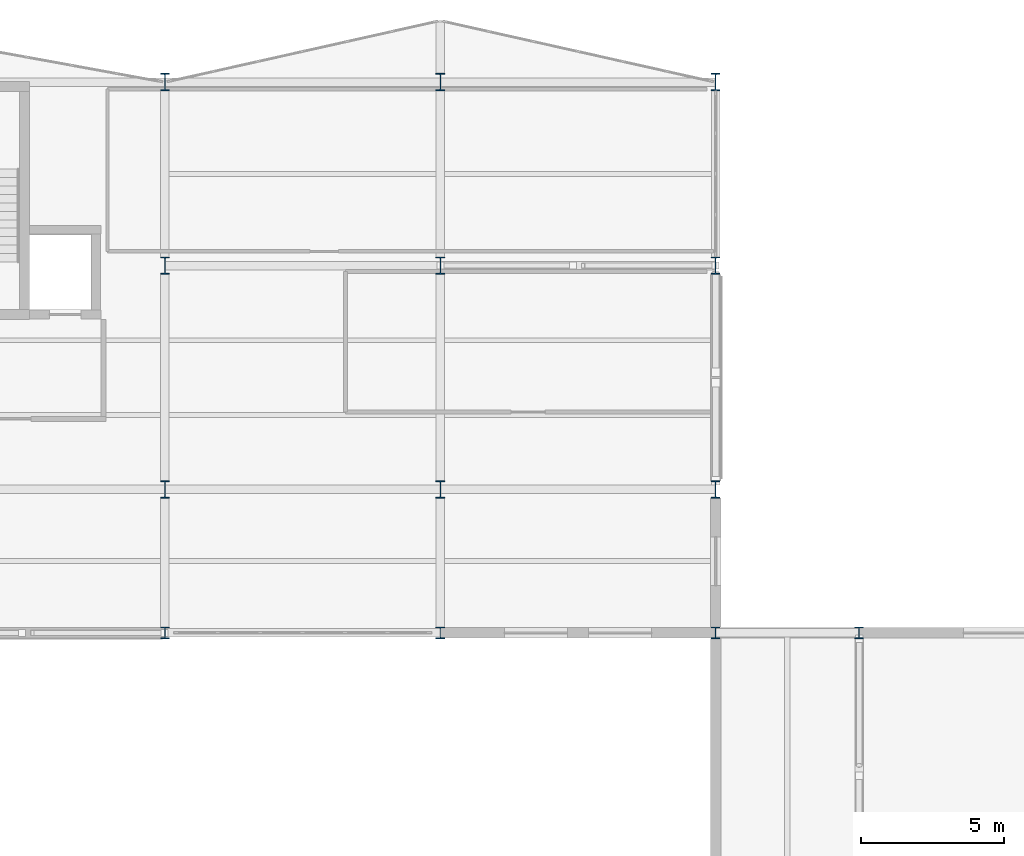
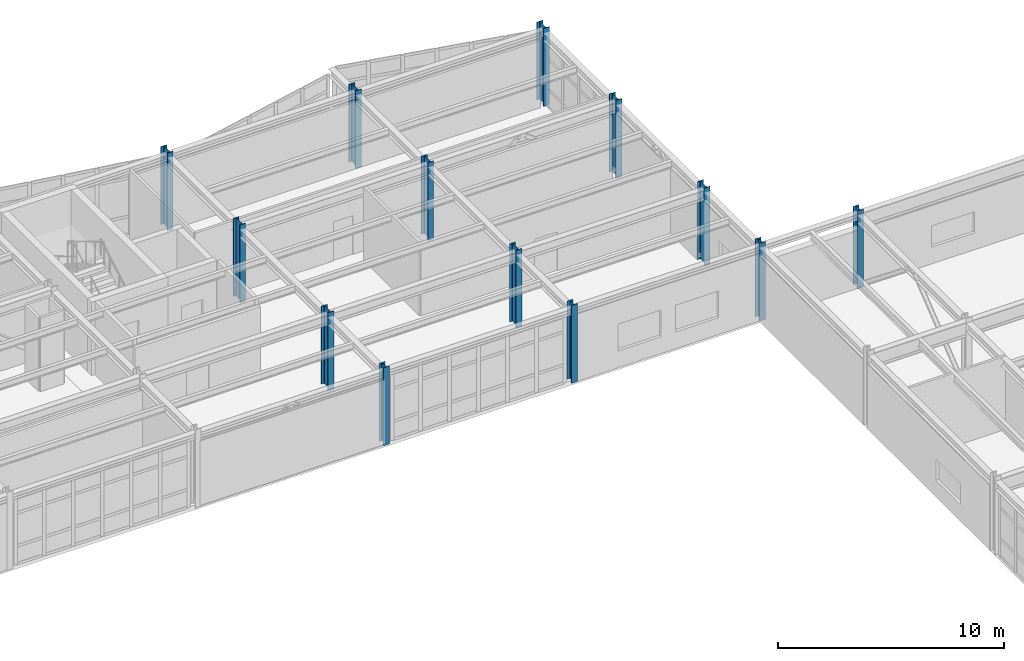
# One storey, part 15 of 99: 13 columns.
"""IFC4 building model written with IfcOpenShell, lengths in metres."""

from ifc_helpers import new_model, si_unit, direction, frame, origin, origin_2d, place, context, subcontext, project, spatial, i_section, extrude, material, material_profile, profile_set, type_object, element, save


model = new_model("IFC4")

# Units and contexts
model_context = context("Model", 3, precision=1e-05, world=origin(), true_north=direction((0.0, 1.0)))
body_context = subcontext(model_context, "Body", "Model", "MODEL_VIEW")
ifc_project = project(units=[si_unit("LENGTHUNIT", "METRE"), si_unit("AREAUNIT", "SQUARE_METRE"), si_unit("VOLUMEUNIT", "CUBIC_METRE"), si_unit("PLANEANGLEUNIT", "RADIAN"), si_unit("MASSUNIT", "GRAM", prefix="KILO")], contexts=[model_context])

# Site, building, storey
site_placement = place(None, origin())
site = spatial("IfcSite", under=ifc_project, at=site_placement, CompositionType="ELEMENT")
building_placement = place(site_placement, origin())
building = spatial("IfcBuilding", under=site, at=building_placement, Name="Nordkorset Police Headquarters", CompositionType="ELEMENT")
storey_placement = place(building_placement, frame((0.0, 0.0, 5.25)))
storey = spatial("IfcBuildingStorey", under=building, at=storey_placement, Name="L01", CompositionType="ELEMENT", Elevation=5.25)

# Columns
ifc_material_1 = material(Name="Steel S355J2", Category="steel")
ifc_material_profile_1 = material_profile(ifc_material_1, i_section(OverallWidth=0.300048828125, OverallDepth=0.39990234375, WebThickness=0.013427734375, FlangeThickness=0.02392578125, FilletRadius=0.027099609375, at=origin_2d()), Name="HEB 400")
ifc_profile_set_1 = profile_set([ifc_material_profile_1], Name="Steel S355J2")
column_type_1 = type_object("IfcColumnType", Name="Col_HEB_400", PredefinedType="COLUMN", material=ifc_profile_set_1)
for number, where, z_axis, x_axis, name in (
    (1, (67.199951171875, 97.60009765625, 0.0), (0.0, 0.0, 1.0), (1.0, 0.0, 0.0), "Structural Column V2_Y0_3 L01"),
    (2, (76.800048828125, 97.60009765625, 0.0), (0.0, 0.0, 1.0), (1.0, 0.0, 0.0), "Structural Column V2_Y0_4 L01"),
    (3, (86.39990234375, 97.60009765625, 0.0), (0.0, 0.0, 1.0), (1.0, 0.0, 0.0), "Structural Column V2_Y0_5 L01"),
    (4, (91.39990234375, 97.60009765625, 0.0), (0.0, 0.0, 1.0), (1.0, 0.0, 0.0), "Structural Column V5_X1_5 L01"),
):
    element("IfcColumn", number, at=place(storey_placement, frame(where, z_axis=z_axis, x_axis=x_axis)), inside=storey, type_object=column_type_1, Name=name, PredefinedType="COLUMN", context=body_context, shape_type="SweptSolid", body=[
        extrude(i_section(OverallWidth=0.300048828125, OverallDepth=0.39990234375, WebThickness=0.013427734375, FlangeThickness=0.02392578125, FilletRadius=0.027099609375, at=origin_2d()), origin(), (0.0, 0.0, 1.0), 4.199951171875),
    ])
ifc_material_2 = material(Name="Steel S355J2", Category="steel")
ifc_material_profile_2 = material_profile(ifc_material_2, i_section(OverallWidth=0.300048828125, OverallDepth=0.60009765625, WebThickness=0.015380859375, FlangeThickness=0.030029296875, FilletRadius=0.027099609375, at=origin_2d()), Name="HEB 600")
ifc_profile_set_2 = profile_set([ifc_material_profile_2], Name="Steel S355J2")
column_type_2 = type_object("IfcColumnType", Name="Col_HEB_600", PredefinedType="COLUMN", material=ifc_profile_set_2)
for number, where, z_axis, x_axis, name in (
    (5, (67.199951171875, 102.60009765625, 0.0), (0.0, 0.0, 1.0), (1.0, 0.0, 0.0), "Structural Column V2_Y1_3 L01"),
    (6, (67.199951171875, 110.39990234375, 0.0), (0.0, 0.0, 1.0), (1.0, 0.0, 0.0), "Structural Column V2_Y2_3 L01"),
    (7, (67.199951171875, 116.800048828125, 0.0), (0.0, 0.0, 1.0), (1.0, 0.0, 0.0), "Structural Column V2_Y3_3 L01"),
    (8, (76.800048828125, 102.60009765625, 0.0), (0.0, 0.0, 1.0), (1.0, 0.0, 0.0), "Structural Column V2_Y1_4 L01"),
    (9, (76.800048828125, 110.39990234375, 0.0), (0.0, 0.0, 1.0), (1.0, 0.0, 0.0), "Structural Column V2_Y2_4 L01"),
    (10, (76.800048828125, 116.800048828125, 0.0), (0.0, 0.0, 1.0), (1.0, 0.0, 0.0), "Structural Column V2_Y3_4 L01"),
    (11, (86.39990234375, 102.60009765625, 0.0), (0.0, 0.0, 1.0), (1.0, 0.0, 0.0), "Structural Column V2_Y1_5 L01"),
    (12, (86.39990234375, 110.39990234375, 0.0), (0.0, 0.0, 1.0), (1.0, 0.0, 0.0), "Structural Column V2_Y2_5 L01"),
    (13, (86.39990234375, 116.800048828125, 0.0), (0.0, 0.0, 1.0), (1.0, 0.0, 0.0), "Structural Column V2_Y3_5 L01"),
):
    element("IfcColumn", number, at=place(storey_placement, frame(where, z_axis=z_axis, x_axis=x_axis)), inside=storey, type_object=column_type_2, Name=name, PredefinedType="COLUMN", context=body_context, shape_type="SweptSolid", body=[
        extrude(i_section(OverallWidth=0.300048828125, OverallDepth=0.60009765625, WebThickness=0.015380859375, FlangeThickness=0.030029296875, FilletRadius=0.027099609375, at=origin_2d()), origin(), (0.0, 0.0, 1.0), 4.199951171875),
    ])

save(model, "model.ifc")
